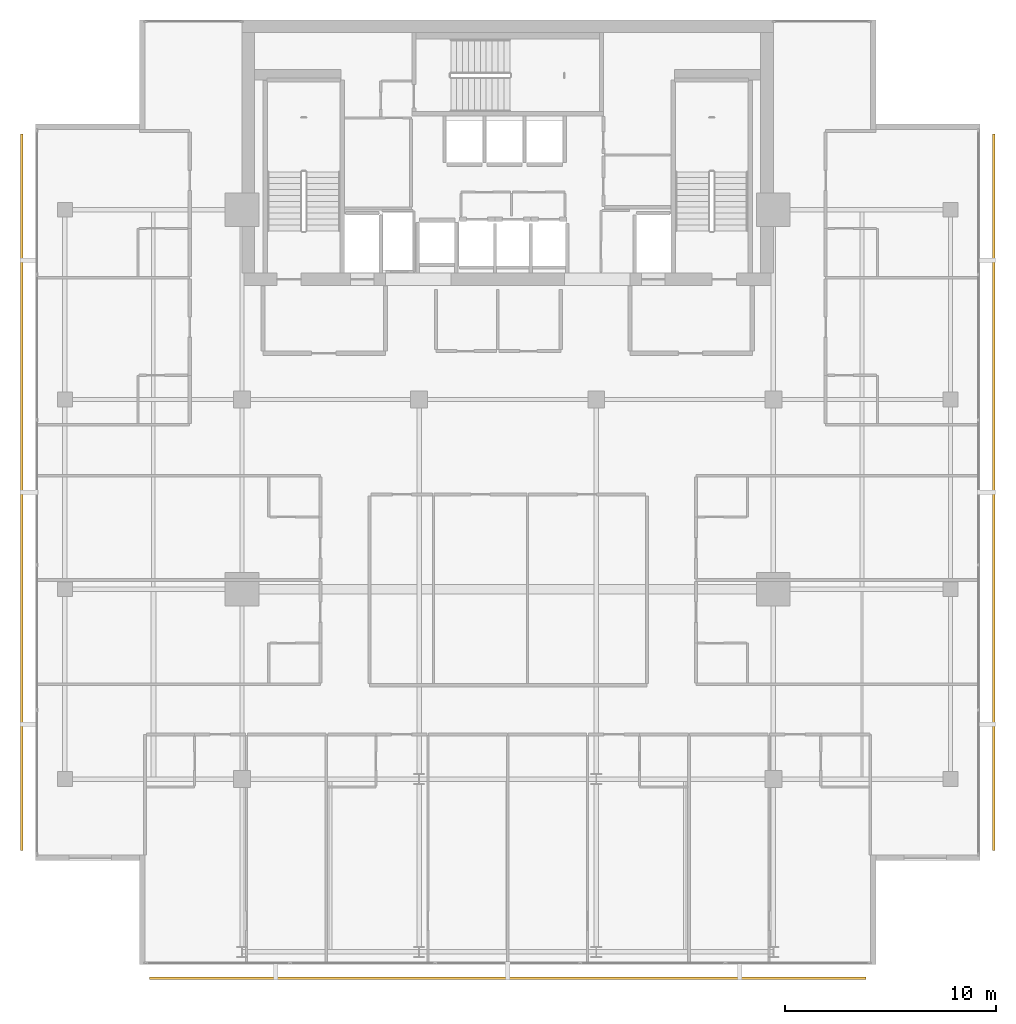
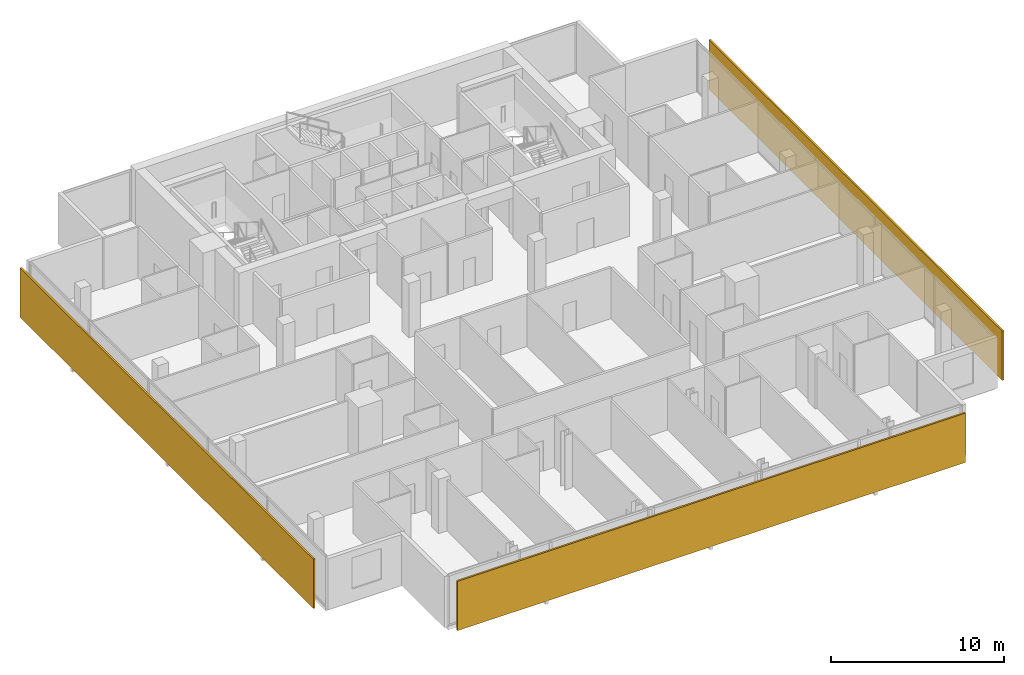
# One storey, part 25 of 26: 3 shading devices.
"""IFC4 building model written with IfcOpenShell, lengths in metres."""

import ifcopenshell
import ifcopenshell.guid

model = None  # the IFC model being written
_history = None  # IfcOwnerHistory: only IFC2X3 demands one
_inside = {}  # id of a spatial element -> (the spatial element, [elements in it])
_under = {}  # id of a project, library or spatial element -> (it, [spatial elements below it])
_declared = {}  # id of a project -> (the project, [libraries it declares])
_typed = {}  # id of a type object -> (the type object, [elements of that type])
_made_of = {}  # id of a material, layer set ... -> (it, [elements and type objects made of it])


def new_model(schema):
    """Start an empty IFC model of exactly this schema.

    Asked for "IFC4X3", IfcOpenShell would pick the latest addendum, in which some entities
    have other attributes; the version numbers below select the first issue.
    IFC2X3 requires an IfcOwnerHistory on every rooted entity: one is made here for all.
    """
    global model, _history
    if schema == "IFC4X3":
        model = ifcopenshell.file(schema_version=(4, 3, 0, 0))
    else:
        model = ifcopenshell.file(schema=schema)
    _inside.clear()
    _under.clear()
    _declared.clear()
    _typed.clear()
    _made_of.clear()
    _history = None
    if model.schema == "IFC2X3":
        org = make("IfcOrganization", Name="unknown")
        user = make(
            "IfcPersonAndOrganization",
            ThePerson=make("IfcPerson", FamilyName="unknown"),
            TheOrganization=org,
        )
        app = make(
            "IfcApplication",
            ApplicationDeveloper=org,
            Version="unknown",
            ApplicationFullName="unknown",
            ApplicationIdentifier="unknown",
        )
        _history = make(
            "IfcOwnerHistory",
            OwningUser=user,
            OwningApplication=app,
            ChangeAction="ADDED",
            CreationDate=0,
        )
    return model


def make(cls, **values):
    """One entity of the class cls with the attributes given. An attribute that is None is left unset."""
    return model.create_entity(
        cls, **{name: value for name, value in values.items() if value is not None}
    )


def rooted(cls, **values):
    """An entity with a GlobalId (a new one), such as an element, a storey or a relation."""
    return make(cls, GlobalId=ifcopenshell.guid.new(), OwnerHistory=_history, **values)


def si_unit(unit_type, name, prefix=None):
    """IfcSIUnit, for example si_unit("LENGTHUNIT", "METRE", prefix="MILLI")."""
    return make("IfcSIUnit", UnitType=unit_type, Prefix=prefix, Name=name)


def assignment(units):
    """IfcUnitAssignment: the units of a project."""
    return None if units is None else make("IfcUnitAssignment", Units=units)


def point(xyz):
    """IfcCartesianPoint."""
    return None if xyz is None else make("IfcCartesianPoint", Coordinates=xyz)


def direction(xyz):
    """IfcDirection."""
    return None if xyz is None else make("IfcDirection", DirectionRatios=xyz)


def frame(location, z_axis=None, x_axis=None):
    """IfcAxis2Placement3D, a coordinate frame: its origin and axes. An axis left out is left unset."""
    return make(
        "IfcAxis2Placement3D",
        Location=point(location),
        Axis=direction(z_axis),
        RefDirection=direction(x_axis),
    )


def frame_2d(location, x_axis=None):
    """IfcAxis2Placement2D, a coordinate frame in the plane: its origin and x axis."""
    return make(
        "IfcAxis2Placement2D", Location=point(location), RefDirection=direction(x_axis)
    )


def origin():
    """The frame at (0, 0, 0) with its axes left unset."""
    return frame((0.0, 0.0, 0.0))


def origin_2d():
    """The frame at (0, 0) in the plane with its x axis left unset."""
    return frame_2d((0.0, 0.0))


def place(relative_to, where):
    """IfcLocalPlacement: puts the frame where relative to a parent placement (None: the world)."""
    return make(
        "IfcLocalPlacement", PlacementRelTo=relative_to, RelativePlacement=where
    )


def context(
    kind, dimensions, precision=None, world=None, true_north=None, identifier=None
):
    """IfcGeometricRepresentationContext, for example the 3D "Model" context."""
    return make(
        "IfcGeometricRepresentationContext",
        ContextIdentifier=identifier,
        ContextType=kind,
        CoordinateSpaceDimension=dimensions,
        Precision=precision,
        WorldCoordinateSystem=world,
        TrueNorth=true_north,
    )


def subcontext(parent, identifier, kind, view, scale=None):
    """IfcGeometricRepresentationSubContext, for example "Body" below "Model"."""
    return make(
        "IfcGeometricRepresentationSubContext",
        ContextIdentifier=identifier,
        ContextType=kind,
        ParentContext=parent,
        TargetScale=scale,
        TargetView=view,
    )


def project(units=None, contexts=None):
    """IfcProject with its units and contexts."""
    return rooted(
        "IfcProject",
        Name="project",
        RepresentationContexts=contexts,
        UnitsInContext=assignment(units),
    )


def spatial(cls, under=None, at=None, **own):
    """A site, building, storey or space (cls), placed at a placement, below another one or the project."""
    s = rooted(cls, ObjectPlacement=at, **own)
    if under is not None:
        _under.setdefault(under.id(), (under, []))[1].append(s)
    return s


def profile(cls, at=None, kind="AREA", **sizes):
    """A parametric profile (cls). Its sizes go by their IFC names, for example OverallWidth=200.0."""
    return make(cls, ProfileType=kind, Position=at, **sizes)


def rectangle(**sizes):
    """IfcRectangleProfileDef."""
    return profile("IfcRectangleProfileDef", **sizes)


def extrude(swept, where, along, depth):
    """IfcExtrudedAreaSolid: the profile swept, set in the frame where, extruded along a direction by depth."""
    return make(
        "IfcExtrudedAreaSolid",
        SweptArea=swept,
        Position=where,
        ExtrudedDirection=direction(along),
        Depth=depth,
    )


def shape(context_of_items, identifier, shape_type, items):
    """IfcShapeRepresentation: the items that make up one representation, for example the "Body"."""
    return make(
        "IfcShapeRepresentation",
        ContextOfItems=context_of_items,
        RepresentationIdentifier=identifier,
        RepresentationType=shape_type,
        Items=items,
    )


def material(Name=None, Category=None):
    """IfcMaterial."""
    return make("IfcMaterial", Name=Name, Category=Category)


def layer(
    of_material, thickness, ventilated=None, Name=None, Category=None, Priority=None
):
    """IfcMaterialLayer: one layer of a wall or slab, of a material (None: an air gap)."""
    return make(
        "IfcMaterialLayer",
        Material=of_material,
        LayerThickness=thickness,
        IsVentilated=ventilated,
        Name=Name,
        Category=Category,
        Priority=Priority,
    )


def layer_set(layers, Name=None):
    """IfcMaterialLayerSet."""
    return make("IfcMaterialLayerSet", MaterialLayers=layers, LayerSetName=Name)


def made_of(thing, what):
    """Note that an element or type object is made of a material, layer set ...; save() writes the relation."""
    if what is not None:
        _made_of.setdefault(what.id(), (what, []))[1].append(thing)
    return thing


def type_object(cls, material=None, **own):
    """A type object (cls), such as IfcWallType, which elements share."""
    return made_of(rooted(cls, **own), material)


def element(
    cls,
    number,
    at=None,
    inside=None,
    cuts=None,
    type_object=None,
    material=None,
    context=None,
    identifier="Body",
    shape_type=None,
    held_by="IfcProductDefinitionShape",
    body=None,
    shapes=None,
    **own,
):
    """One element of the class cls, such as IfcWall. Its Tag is "e" and its number.

    at: its placement. inside: the storey or other place that contains it. cuts: it is an
    opening in that element (IfcRelVoidsElement). A single representation is given by context,
    identifier, shape_type and body (its items); several are given by shapes. held_by: the class
    of the entity that holds the representations. save() writes the other relations.
    """
    e = rooted(cls, Tag="e%d" % number, ObjectPlacement=at, **own)
    if body is not None:
        shapes = [shape(context, identifier, shape_type, body)]
    if shapes is not None:
        e.Representation = make(held_by, Representations=shapes)
    if inside is not None:
        _inside.setdefault(inside.id(), (inside, []))[1].append(e)
    if cuts is not None:
        rooted(
            "IfcRelVoidsElement", RelatingBuildingElement=cuts, RelatedOpeningElement=e
        )
    if type_object is not None:
        _typed.setdefault(type_object.id(), (type_object, []))[1].append(e)
    return made_of(e, material)


def aggregate(whole, parts):
    """IfcRelAggregates: a whole, such as a stair, and the parts it consists of."""
    return rooted("IfcRelAggregates", RelatingObject=whole, RelatedObjects=parts)


def save(model, path):
    """Write the relations noted so far, then the file.

    IfcRelAggregates (storeys below a building ...), IfcRelContainedInSpatialStructure (elements
    in a storey), IfcRelDefinesByType, IfcRelAssociatesMaterial and IfcRelDeclares: one each for
    every whole, place, type object, material and project.
    """
    for whole, parts in _under.values():
        aggregate(whole, parts)
    for where, things in _inside.values():
        rooted(
            "IfcRelContainedInSpatialStructure",
            RelatedElements=things,
            RelatingStructure=where,
        )
    for kind, things in _typed.values():
        rooted("IfcRelDefinesByType", RelatedObjects=things, RelatingType=kind)
    for what, things in _made_of.values():
        rooted("IfcRelAssociatesMaterial", RelatedObjects=things, RelatingMaterial=what)
    for by, libraries in _declared.values():
        rooted("IfcRelDeclares", RelatingContext=by, RelatedDefinitions=libraries)
    model.write(path)


model = new_model("IFC4")

# Units and contexts
model_context = context("Model", 3, precision=1e-05, world=origin(), true_north=direction((0.0, 1.0)))
body_context = subcontext(model_context, "Body", "Model", "MODEL_VIEW")
ifc_project = project(units=[si_unit("LENGTHUNIT", "METRE"), si_unit("AREAUNIT", "SQUARE_METRE"), si_unit("VOLUMEUNIT", "CUBIC_METRE"), si_unit("PLANEANGLEUNIT", "RADIAN"), si_unit("MASSUNIT", "GRAM", prefix="KILO")], contexts=[model_context])

# Site, building, storey
site_placement = place(None, origin())
site = spatial("IfcSite", under=ifc_project, at=site_placement, CompositionType="ELEMENT")
building_placement = place(site_placement, origin())
building = spatial("IfcBuilding", under=site, at=building_placement, Name="Maruvema Waterfront Hotel and Observation Tower", CompositionType="ELEMENT")
storey_placement = place(building_placement, frame((0.0, 0.0, 254.800048828125)))
storey = spatial("IfcBuildingStorey", under=building, at=storey_placement, Name="L62", CompositionType="ELEMENT", Elevation=254.800048828125)

# Shading devices
ifc_material = material(Name="Honed travertine stone and anodised architectural bronze", Category="masonry")
ifc_layer = layer(ifc_material, 0.1201171875, Name="Ventilated Outer Skin Cobogo Stone-and-Bronze Screen 120 mm")
ifc_layer_set = layer_set([ifc_layer], Name="Honed travertine stone and anodised architectural bronze")
shading_device_type = type_object("IfcShadingDeviceType", Name="Ventilated Outer Skin Cobogo Stone-and-Bronze Screen 120 mm", PredefinedType="USERDEFINED", material=ifc_layer_set)
for number, where, z_axis, x_axis, name in (
    (1, (37.800048828125, 8.550048828125, 0.06005859375), (0.0, 0.0, 1.0), (1.0, 0.0, 0.0), "L62 Ventilated Double-Skin Outer Cobogo Screen OS-L62-S"),
    (2, (60.85009765625, 31.60009765625, 0.06005859375), (0.0, 0.0, 1.0), (0.0, 1.0, 0.0), "L62 Ventilated Double-Skin Outer Cobogo Screen OS-L62-E"),
    (3, (14.75, 31.60009765625, 0.06005859375), (0.0, 0.0, 1.0), (0.0, -1.0, 0.0), "L62 Ventilated Double-Skin Outer Cobogo Screen OS-L62-W"),
):
    element("IfcShadingDevice", number, at=place(storey_placement, frame(where, z_axis=z_axis, x_axis=x_axis)), inside=storey, type_object=shading_device_type, Name=name, ObjectType="OUTER SKIN SCREEN", PredefinedType="USERDEFINED", context=body_context, shape_type="SweptSolid", body=[
        extrude(rectangle(XDim=34.0, YDim=0.1201171875, at=origin_2d()), origin(), (0.0, 0.0, 1.0), 3.489990234375),
    ])

save(model, "model.ifc")
